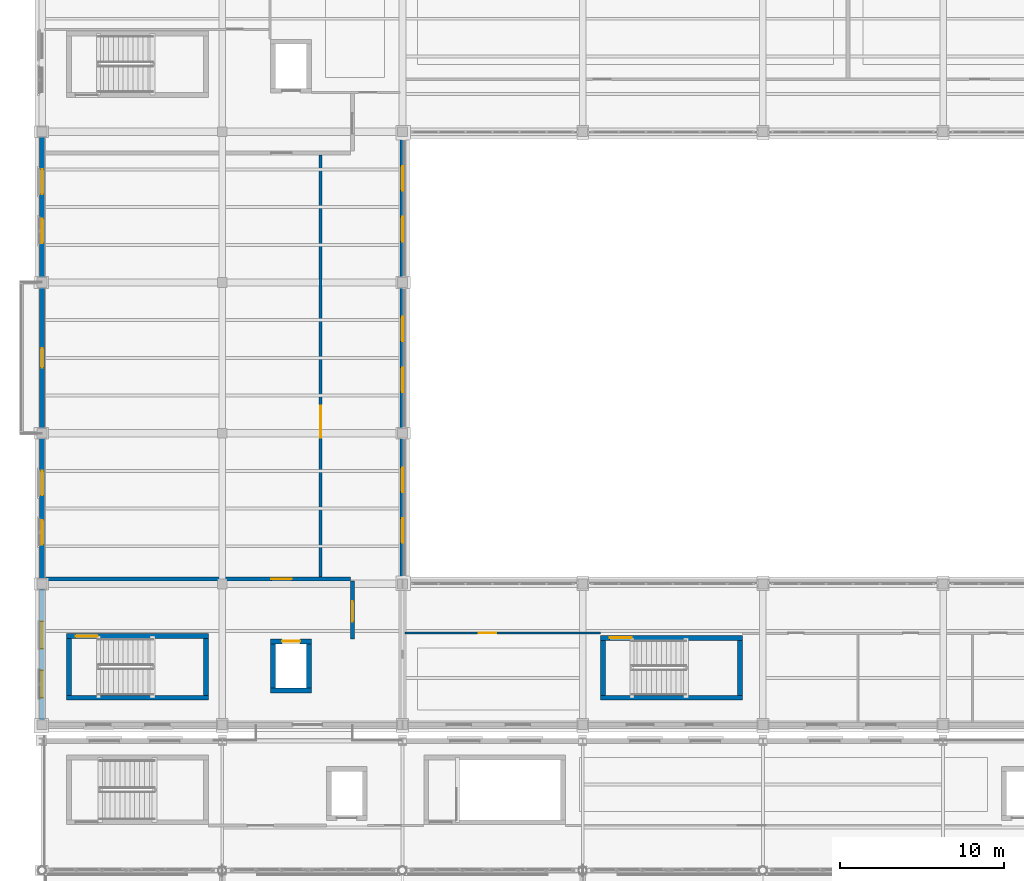
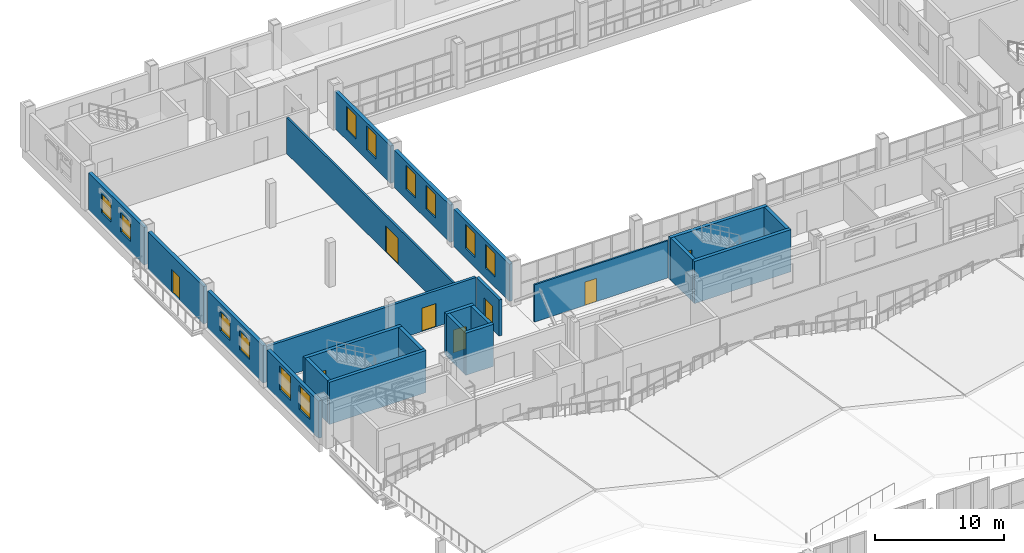
# One storey, part 97 of 120: 23 walls, 12 windows, 8 doors, 20 openings.
"""IFC4 building model written with IfcOpenShell, lengths in metres."""

from ifc_helpers import new_model, si_unit, direction, frame, frame_2d, origin, place, context, subcontext, project, spatial, rectangle, extrude, material, layer, layer_set, type_object, element, fill, save


model = new_model("IFC4")

# Units and contexts
model_context = context("Model", 3, precision=1e-05, world=origin(), true_north=direction((0.0, 1.0)))
body_context = subcontext(model_context, "Body", "Model", "MODEL_VIEW")
ifc_project = project(units=[si_unit("LENGTHUNIT", "METRE"), si_unit("AREAUNIT", "SQUARE_METRE"), si_unit("VOLUMEUNIT", "CUBIC_METRE"), si_unit("PLANEANGLEUNIT", "RADIAN"), si_unit("MASSUNIT", "GRAM", prefix="KILO")], contexts=[model_context])

# Site, building, storey
site_placement = place(None, origin())
site = spatial("IfcSite", under=ifc_project, at=site_placement, CompositionType="ELEMENT")
building_placement = place(site_placement, origin())
building = spatial("IfcBuilding", under=site, at=building_placement, Name="Caurita Quay Ferry Terminal", CompositionType="ELEMENT")
storey_placement = place(building_placement, frame((0.0, 0.0, 9.89990234375)))
storey = spatial("IfcBuildingStorey", under=building, at=storey_placement, Name="L02", CompositionType="ELEMENT", Elevation=9.89990234375)

# Wall, opening, door
ifc_material_1 = material(Name="Warm-white lime stucco masonry", Category="masonry")
ifc_layer_1 = layer(ifc_material_1, 0.239990234375, Name="Interior partitioning wall 240 mm")
ifc_layer_set_1 = layer_set([ifc_layer_1], Name="Warm-white lime stucco masonry")
wall_type_1 = type_object("IfcWallType", Name="WL-COMP-240", PredefinedType="PARTITIONING", material=ifc_layer_set_1)
wall_1_placement = place(storey_placement, frame((0.159912109375, 80.5, 0.0), z_axis=(0.0, 0.0, 1.0), x_axis=(1.0, 0.0, 0.0)))
wall_1 = element("IfcWall", 1, at=wall_1_placement, inside=storey, type_object=wall_type_1, Name="L02 Interior Partition IW-L02-082", PredefinedType="PARTITIONING", context=body_context, shape_type="SweptSolid", body=[
    extrude(rectangle(XDim=18.6650390625, YDim=0.239990234375, at=frame_2d((9.33251953125, 0.0))), origin(), (0.0, 0.0, 1.0), 3.425048828125),
])
opening_1_placement = place(wall_1_placement, frame((13.840087890625, 0.0, 0.0)))
opening_1 = element("IfcOpeningElement", 2, at=opening_1_placement, cuts=wall_1, Name="Opening FD-01", PredefinedType="OPENING", context=body_context, shape_type="SweptSolid", body=[
    extrude(rectangle(XDim=1.25, YDim=2.199951171875, at=frame_2d((0.625, 1.10009765625))), frame((0.0, 0.1298828125, 0.0), z_axis=(0.0, -1.0, 0.0), x_axis=(1.0, 0.0, 0.0)), (0.0, 0.0, 1.0), 0.260009765625),
])
ifc_material_2 = material(Name="Anodized aluminium 6063-T6", Category="aluminium")
door_type_1 = type_object("IfcDoorType", Name="DR-FF-1100", OperationType="NOTDEFINED", PredefinedType="DOOR", material=ifc_material_2)
door_1_placement = place(opening_1_placement, origin())
door_1 = element("IfcDoor", 3, at=door_1_placement, inside=storey, type_object=door_type_1, Name="Firefighting Lobby L02 South Door", OperationType="SINGLE_SWING_LEFT", OverallHeight=2.199951171875, OverallWidth=1.25, PredefinedType="DOOR", context=body_context, shape_type="SweptSolid", body=[
    extrude(rectangle(XDim=1.25, YDim=2.199951171875, at=frame_2d((0.625, 1.10009765625))), frame((0.0, 0.02490234375, 0.0), z_axis=(0.0, -1.0, 0.0), x_axis=(1.0, 0.0, 0.0)), (0.0, 0.0, 1.0), 0.050048828125),
])
fill(opening_1, door_1)

wall_2_placement = place(storey_placement, frame((18.949951171875, 76.85009765625, 0.0), z_axis=(0.0, 0.0, 1.0), x_axis=(0.0, 1.0, 0.0)))
wall_2 = element("IfcWall", 4, at=wall_2_placement, inside=storey, type_object=wall_type_1, Name="L02 Interior Partition IW-L02-085", PredefinedType="PARTITIONING", context=body_context, shape_type="SweptSolid", body=[
    extrude(rectangle(XDim=3.52490234375, YDim=0.239990234375, at=frame_2d((1.762451171875, 0.0))), origin(), (0.0, 0.0, 1.0), 3.425048828125),
])
opening_2_placement = place(wall_2_placement, frame((1.050048828125, 0.0, 0.0)))
opening_2 = element("IfcOpeningElement", 5, at=opening_2_placement, cuts=wall_2, Name="Opening FD-01", PredefinedType="OPENING", context=body_context, shape_type="SweptSolid", body=[
    extrude(rectangle(XDim=1.25, YDim=2.199951171875, at=frame_2d((0.625, 1.10009765625))), frame((0.0, 0.1298828125, 0.0), z_axis=(0.0, -1.0, 0.0), x_axis=(1.0, 0.0, 0.0)), (0.0, 0.0, 1.0), 0.260009765625),
])
door_2_placement = place(opening_2_placement, frame((1.25, 0.0, 0.0), z_axis=(0.0, 0.0, 1.0), x_axis=(-1.0, 0.0, 0.0)))
door_2 = element("IfcDoor", 6, at=door_2_placement, inside=storey, type_object=door_type_1, Name="Firefighting Lobby L02 South East Door", OperationType="SINGLE_SWING_RIGHT", OverallHeight=2.199951171875, OverallWidth=1.25, PredefinedType="DOOR", context=body_context, shape_type="SweptSolid", body=[
    extrude(rectangle(XDim=1.25, YDim=2.199951171875, at=frame_2d((0.625, 1.10009765625))), frame((0.0, 0.02490234375, 0.0), z_axis=(0.0, -1.0, 0.0), x_axis=(1.0, 0.0, 0.0)), (0.0, 0.0, 1.0), 0.050048828125),
])
fill(opening_2, door_2)

# Wall
ifc_material_3 = material(Name="Reinforced concrete C35/45", Category="concrete")
ifc_layer_2 = layer(ifc_material_3, 0.300048828125, Name="Interior shear wall 300 mm")
ifc_layer_set_2 = layer_set([ifc_layer_2], Name="Reinforced concrete C35/45")
wall_type_2 = type_object("IfcWallType", Name="WL-CORE-300", PredefinedType="SHEAR", material=ifc_layer_set_2)
wall_3_placement = place(storey_placement, frame((1.5, 73.25, 0.0), z_axis=(0.0, 0.0, 1.0), x_axis=(1.0, 0.0, 0.0)))
element("IfcWall", 7, at=wall_3_placement, inside=storey, type_object=wall_type_2, Name="L02 ST-02 Core Wall South", PredefinedType="SHEAR", context=body_context, shape_type="SweptSolid", body=[
    extrude(rectangle(XDim=8.64990234375, YDim=0.300048828125, at=frame_2d((4.324951171875, 0.0))), origin(), (0.0, 0.0, 1.0), 3.97998046875),
])

# Wall, opening, door
wall_4_placement = place(storey_placement, frame((10.14990234375, 77.010009765625, 0.0), z_axis=(0.0, 0.0, 1.0), x_axis=(-1.0, 0.0, 0.0)))
wall_4 = element("IfcWall", 8, at=wall_4_placement, inside=storey, type_object=wall_type_2, Name="L02 ST-02 Core Wall North", PredefinedType="SHEAR", context=body_context, shape_type="SweptSolid", body=[
    extrude(rectangle(XDim=8.64990234375, YDim=0.300048828125, at=frame_2d((4.324951171875, 0.0))), origin(), (0.0, 0.0, 1.0), 3.97998046875),
])
opening_3_placement = place(wall_4_placement, frame((6.75, 0.0, 0.0)))
opening_3 = element("IfcOpeningElement", 9, at=opening_3_placement, cuts=wall_4, Name="Opening SD-01", PredefinedType="OPENING", context=body_context, shape_type="SweptSolid", body=[
    extrude(rectangle(XDim=1.35009765625, YDim=2.199951171875, at=frame_2d((0.675048828125, 1.10009765625))), frame((0.0, 0.159912109375, 0.0), z_axis=(0.0, -1.0, 0.0), x_axis=(1.0, 0.0, 0.0)), (0.0, 0.0, 1.0), 0.320068359375),
])
door_type_2 = type_object("IfcDoorType", Name="DR-ST-1200", OperationType="NOTDEFINED", PredefinedType="DOOR", material=ifc_material_2)
door_3_placement = place(opening_3_placement, origin())
door_3 = element("IfcDoor", 10, at=door_3_placement, inside=storey, type_object=door_type_2, Name="L02 Exit Stair ST-02 Fire Door", OperationType="SINGLE_SWING_RIGHT", OverallHeight=2.199951171875, OverallWidth=1.35009765625, PredefinedType="DOOR", context=body_context, shape_type="SweptSolid", body=[
    extrude(rectangle(XDim=1.35009765625, YDim=2.199951171875, at=frame_2d((0.675048828125, 1.10009765625))), frame((0.0, 0.02490234375, 0.0), z_axis=(0.0, -1.0, 0.0), x_axis=(1.0, 0.0, 0.0)), (0.0, 0.0, 1.0), 0.050048828125),
])
fill(opening_3, door_3)

# Walls
for number, where, z_axis, x_axis, name in (
    (11, (1.64990234375, 76.860107421875, 0.0), (0.0, 0.0, 1.0), (0.0, -1.0, 0.0), "L02 ST-02 Core Wall West"),
    (12, (10.0, 73.39990234375, 0.0), (0.0, 0.0, 1.0), (0.0, 1.0, 0.0), "L02 ST-02 Core Wall East"),
):
    element("IfcWall", number, at=place(storey_placement, frame(where, z_axis=z_axis, x_axis=x_axis)), inside=storey, type_object=wall_type_2, Name=name, PredefinedType="SHEAR", context=body_context, shape_type="SweptSolid", body=[
        extrude(rectangle(XDim=3.460205078125, YDim=0.300048828125, at=frame_2d((1.72998046875, 0.0))), origin(), (0.0, 0.0, 1.0), 3.97998046875),
    ])
wall_5_placement = place(storey_placement, frame((34.10009765625, 73.25, 0.0), z_axis=(0.0, 0.0, 1.0), x_axis=(1.0, 0.0, 0.0)))
element("IfcWall", 13, at=wall_5_placement, inside=storey, type_object=wall_type_2, Name="L02 ST-03 Core Wall South", PredefinedType="SHEAR", context=body_context, shape_type="SweptSolid", body=[
    extrude(rectangle(XDim=8.64990234375, YDim=0.300048828125, at=frame_2d((4.324951171875, 0.0))), origin(), (0.0, 0.0, 1.0), 3.97998046875),
])

# Wall, opening, door
wall_6_placement = place(storey_placement, frame((42.75, 76.909912109375, 0.0), z_axis=(0.0, 0.0, 1.0), x_axis=(-1.0, 0.0, 0.0)))
wall_6 = element("IfcWall", 14, at=wall_6_placement, inside=storey, type_object=wall_type_2, Name="L02 ST-03 Core Wall North", PredefinedType="SHEAR", context=body_context, shape_type="SweptSolid", body=[
    extrude(rectangle(XDim=8.64990234375, YDim=0.300048828125, at=frame_2d((4.324951171875, 0.0))), origin(), (0.0, 0.0, 1.0), 3.97998046875),
])
opening_4_placement = place(wall_6_placement, frame((6.75, 0.0, 0.0)))
opening_4 = element("IfcOpeningElement", 15, at=opening_4_placement, cuts=wall_6, Name="Opening SD-01", PredefinedType="OPENING", context=body_context, shape_type="SweptSolid", body=[
    extrude(rectangle(XDim=1.35009765625, YDim=2.199951171875, at=frame_2d((0.675048828125, 1.10009765625))), frame((0.0, 0.159912109375, 0.0), z_axis=(0.0, -1.0, 0.0), x_axis=(1.0, 0.0, 0.0)), (0.0, 0.0, 1.0), 0.320068359375),
])
door_4_placement = place(opening_4_placement, origin())
door_4 = element("IfcDoor", 16, at=door_4_placement, inside=storey, type_object=door_type_2, Name="L02 Exit Stair ST-03 Fire Door", OperationType="SINGLE_SWING_LEFT", OverallHeight=2.199951171875, OverallWidth=1.35009765625, PredefinedType="DOOR", context=body_context, shape_type="SweptSolid", body=[
    extrude(rectangle(XDim=1.35009765625, YDim=2.199951171875, at=frame_2d((0.675048828125, 1.10009765625))), frame((0.0, 0.02490234375, 0.0), z_axis=(0.0, -1.0, 0.0), x_axis=(1.0, 0.0, 0.0)), (0.0, 0.0, 1.0), 0.050048828125),
])
fill(opening_4, door_4)

# Walls
for number, where, z_axis, x_axis, name in (
    (17, (34.25, 76.760009765625, 0.0), (0.0, 0.0, 1.0), (0.0, -1.0, 0.0), "L02 ST-03 Core Wall West"),
    (18, (42.60009765625, 73.39990234375, 0.0), (0.0, 0.0, 1.0), (0.0, 1.0, 0.0), "L02 ST-03 Core Wall East"),
):
    element("IfcWall", number, at=place(storey_placement, frame(where, z_axis=z_axis, x_axis=x_axis)), inside=storey, type_object=wall_type_2, Name=name, PredefinedType="SHEAR", context=body_context, shape_type="SweptSolid", body=[
        extrude(rectangle(XDim=3.360107421875, YDim=0.300048828125, at=frame_2d((1.68017578125, 0.0))), origin(), (0.0, 0.0, 1.0), 3.97998046875),
    ])
wall_7_placement = place(storey_placement, frame((13.955078125, 73.705078125, 0.0), z_axis=(0.0, 0.0, 1.0), x_axis=(1.0, 0.0, 0.0)))
element("IfcWall", 19, at=wall_7_placement, inside=storey, type_object=wall_type_2, Name="L02 Lift LF-02 Shaft Wall South", PredefinedType="SHEAR", context=body_context, shape_type="SweptSolid", body=[
    extrude(rectangle(XDim=2.489990234375, YDim=0.300048828125, at=frame_2d((1.2451171875, 0.0))), origin(), (0.0, 0.0, 1.0), 3.97998046875),
])

# Wall, opening, door
wall_8_placement = place(storey_placement, frame((16.445068359375, 76.695068359375, 0.0), z_axis=(0.0, 0.0, 1.0), x_axis=(-1.0, 0.0, 0.0)))
wall_8 = element("IfcWall", 20, at=wall_8_placement, inside=storey, type_object=wall_type_2, Name="L02 Lift LF-02 Shaft Wall North", PredefinedType="SHEAR", context=body_context, shape_type="SweptSolid", body=[
    extrude(rectangle(XDim=2.489990234375, YDim=0.300048828125, at=frame_2d((1.2451171875, 0.0))), origin(), (0.0, 0.0, 1.0), 3.97998046875),
])
opening_5_placement = place(wall_8_placement, frame((0.695068359375, 0.0, 0.0)))
opening_5 = element("IfcOpeningElement", 21, at=opening_5_placement, cuts=wall_8, Name="Opening LD-01", PredefinedType="OPENING", context=body_context, shape_type="SweptSolid", body=[
    extrude(rectangle(XDim=1.10009765625, YDim=2.14990234375, at=frame_2d((0.550048828125, 1.074951171875))), frame((0.0, 0.159912109375, 0.0), z_axis=(0.0, -1.0, 0.0), x_axis=(1.0, 0.0, 0.0)), (0.0, 0.0, 1.0), 0.320068359375),
])
ifc_material_4 = material(Name="Bronze architectural metalwork", Category="metal")
door_type_3 = type_object("IfcDoorType", Name="DR-LD-01", OperationType="DOUBLE_DOOR_SLIDING", PredefinedType="DOOR", material=ifc_material_4)
door_5_placement = place(opening_5_placement, frame((1.10009765625, 0.0, 0.0), z_axis=(0.0, 0.0, 1.0), x_axis=(-1.0, 0.0, 0.0)))
door_5 = element("IfcDoor", 22, at=door_5_placement, inside=storey, type_object=door_type_3, Name="L02 Lift LF-02 Sliding Landing Door", OperationType="DOUBLE_DOOR_SLIDING", OverallHeight=2.14990234375, OverallWidth=1.10009765625, PredefinedType="DOOR", context=body_context, shape_type="SweptSolid", body=[
    extrude(rectangle(XDim=1.10009765625, YDim=2.14990234375, at=frame_2d((0.550048828125, 1.074951171875))), frame((0.0, 0.02490234375, 0.0), z_axis=(0.0, -1.0, 0.0), x_axis=(1.0, 0.0, 0.0)), (0.0, 0.0, 1.0), 0.050048828125),
])
fill(opening_5, door_5)

# Walls
for number, where, z_axis, x_axis, name in (
    (23, (14.10498046875, 76.544921875, 0.0), (0.0, 0.0, 1.0), (0.0, -1.0, 0.0), "L02 Lift LF-02 Shaft Wall West"),
    (24, (16.294921875, 73.85498046875, 0.0), (0.0, 0.0, 1.0), (0.0, 1.0, 0.0), "L02 Lift LF-02 Shaft Wall East"),
):
    element("IfcWall", number, at=place(storey_placement, frame(where, z_axis=z_axis, x_axis=x_axis)), inside=storey, type_object=wall_type_2, Name=name, PredefinedType="SHEAR", context=body_context, shape_type="SweptSolid", body=[
        extrude(rectangle(XDim=2.68994140625, YDim=0.300048828125, at=frame_2d((1.344970703125, 0.0))), origin(), (0.0, 0.0, 1.0), 3.97998046875),
    ])

# Wall, openings, windows
ifc_layer_3 = layer(ifc_material_1, 0.31005859375, Name="Exterior solidwall wall 310 mm")
ifc_layer_set_3 = layer_set([ifc_layer_3], Name="Warm-white lime stucco masonry")
wall_type_3 = type_object("IfcWallType", Name="WL-EXT-310", PredefinedType="SOLIDWALL", material=ifc_layer_set_3)
wall_9_placement = place(storey_placement, frame((0.0, 79.902099609375, 0.0), z_axis=(0.0, 0.0, 1.0), x_axis=(0.0, -1.0, 0.0)))
wall_9 = element("IfcWall", 25, at=wall_9_placement, inside=storey, type_object=wall_type_3, Name="L02 Exterior Wall EW-L02-042", PredefinedType="SOLIDWALL", context=body_context, shape_type="SweptSolid", body=[
    extrude(rectangle(XDim=8.004150390625, YDim=0.31005859375, at=frame_2d((4.001953125, 0.0))), origin(), (0.0, 0.0, 1.0), 3.525146484375),
])
opening_6_placement = place(wall_9_placement, frame((2.001953125, 0.0, 0.949951171875)))
opening_6 = element("IfcOpeningElement", 26, at=opening_6_placement, cuts=wall_9, Name="Opening W-08", PredefinedType="OPENING", context=body_context, shape_type="SweptSolid", body=[
    extrude(rectangle(XDim=1.64990234375, YDim=2.25, at=frame_2d((0.824951171875, 1.125))), frame((0.0, 0.1650390625, 0.0), z_axis=(0.0, -1.0, 0.0), x_axis=(1.0, 0.0, 0.0)), (0.0, 0.0, 1.0), 0.330078125),
])
opening_7_placement = place(wall_9_placement, frame((5.001953125, 0.0, 0.949951171875)))
opening_7 = element("IfcOpeningElement", 27, at=opening_7_placement, cuts=wall_9, Name="Opening W-08", PredefinedType="OPENING", context=body_context, shape_type="SweptSolid", body=[
    extrude(rectangle(XDim=1.64990234375, YDim=2.25, at=frame_2d((0.824951171875, 1.125))), frame((0.0, 0.1650390625, 0.0), z_axis=(0.0, -1.0, 0.0), x_axis=(1.0, 0.0, 0.0)), (0.0, 0.0, 1.0), 0.330078125),
])
ifc_material_5 = material(Name="Laminated solar-control insulated glass", Category="glass")
window_type_1 = type_object("IfcWindowType", Name="WIN-SC-16522", PartitioningType="SINGLE_PANEL", PredefinedType="WINDOW", material=ifc_material_5)
window_1_placement = place(opening_6_placement, origin())
window_1 = element("IfcWindow", 28, at=window_1_placement, inside=storey, type_object=window_type_1, Name="L02 Casement Window WN-L02-061", OverallHeight=2.25, OverallWidth=1.64990234375, PartitioningType="SINGLE_PANEL", PredefinedType="WINDOW", context=body_context, shape_type="SweptSolid", body=[
    extrude(rectangle(XDim=1.64990234375, YDim=2.25, at=frame_2d((0.824951171875, 1.125))), frame((0.0, 0.030029296875, 0.0), z_axis=(0.0, -1.0, 0.0), x_axis=(1.0, 0.0, 0.0)), (0.0, 0.0, 1.0), 0.06005859375),
])
fill(opening_6, window_1)
window_2_placement = place(opening_7_placement, origin())
window_2 = element("IfcWindow", 29, at=window_2_placement, inside=storey, type_object=window_type_1, Name="L02 Casement Window WN-L02-062", OverallHeight=2.25, OverallWidth=1.64990234375, PartitioningType="SINGLE_PANEL", PredefinedType="WINDOW", context=body_context, shape_type="SweptSolid", body=[
    extrude(rectangle(XDim=1.64990234375, YDim=2.25, at=frame_2d((0.824951171875, 1.125))), frame((0.0, 0.030029296875, 0.0), z_axis=(0.0, -1.0, 0.0), x_axis=(1.0, 0.0, 0.0)), (0.0, 0.0, 1.0), 0.06005859375),
])
fill(opening_7, window_2)

wall_10_placement = place(storey_placement, frame((0.0, 89.10205078125, 0.0), z_axis=(0.0, 0.0, 1.0), x_axis=(0.0, -1.0, 0.0)))
wall_10 = element("IfcWall", 30, at=wall_10_placement, inside=storey, type_object=wall_type_3, Name="L02 Exterior Wall EW-L02-043", PredefinedType="SOLIDWALL", context=body_context, shape_type="SweptSolid", body=[
    extrude(rectangle(XDim=8.60400390625, YDim=0.31005859375, at=frame_2d((4.302001953125, 0.0))), origin(), (0.0, 0.0, 1.0), 3.525146484375),
])
opening_8_placement = place(wall_10_placement, frame((2.001953125, 0.0, 0.949951171875)))
opening_8 = element("IfcOpeningElement", 31, at=opening_8_placement, cuts=wall_10, Name="Opening W-06", PredefinedType="OPENING", context=body_context, shape_type="SweptSolid", body=[
    extrude(rectangle(XDim=1.5, YDim=1.800048828125, at=frame_2d((0.75, 0.89990234375))), frame((0.0, 0.1650390625, 0.0), z_axis=(0.0, -1.0, 0.0), x_axis=(1.0, 0.0, 0.0)), (0.0, 0.0, 1.0), 0.330078125),
])
opening_9_placement = place(wall_10_placement, frame((5.001953125, 0.0, 0.949951171875)))
opening_9 = element("IfcOpeningElement", 32, at=opening_9_placement, cuts=wall_10, Name="Opening W-06", PredefinedType="OPENING", context=body_context, shape_type="SweptSolid", body=[
    extrude(rectangle(XDim=1.5, YDim=1.800048828125, at=frame_2d((0.75, 0.89990234375))), frame((0.0, 0.1650390625, 0.0), z_axis=(0.0, -1.0, 0.0), x_axis=(1.0, 0.0, 0.0)), (0.0, 0.0, 1.0), 0.330078125),
])
window_type_2 = type_object("IfcWindowType", Name="WIN-SC-1518", PartitioningType="SINGLE_PANEL", PredefinedType="WINDOW", material=ifc_material_5)
window_3_placement = place(opening_8_placement, origin())
window_3 = element("IfcWindow", 33, at=window_3_placement, inside=storey, type_object=window_type_2, Name="L02 Casement Window WN-L02-063", OverallHeight=1.800048828125, OverallWidth=1.5, PartitioningType="SINGLE_PANEL", PredefinedType="WINDOW", context=body_context, shape_type="SweptSolid", body=[
    extrude(rectangle(XDim=1.5, YDim=1.800048828125, at=frame_2d((0.75, 0.89990234375))), frame((0.0, 0.030029296875, 0.0), z_axis=(0.0, -1.0, 0.0), x_axis=(1.0, 0.0, 0.0)), (0.0, 0.0, 1.0), 0.06005859375),
])
fill(opening_8, window_3)
window_4_placement = place(opening_9_placement, origin())
window_4 = element("IfcWindow", 34, at=window_4_placement, inside=storey, type_object=window_type_2, Name="L02 Casement Window WN-L02-064", OverallHeight=1.800048828125, OverallWidth=1.5, PartitioningType="SINGLE_PANEL", PredefinedType="WINDOW", context=body_context, shape_type="SweptSolid", body=[
    extrude(rectangle(XDim=1.5, YDim=1.800048828125, at=frame_2d((0.75, 0.89990234375))), frame((0.0, 0.030029296875, 0.0), z_axis=(0.0, -1.0, 0.0), x_axis=(1.0, 0.0, 0.0)), (0.0, 0.0, 1.0), 0.06005859375),
])
fill(opening_9, window_4)

# Wall, opening, door
wall_11_placement = place(storey_placement, frame((0.0, 98.302001953125, 0.0), z_axis=(0.0, 0.0, 1.0), x_axis=(0.0, -1.0, 0.0)))
wall_11 = element("IfcWall", 35, at=wall_11_placement, inside=storey, type_object=wall_type_3, Name="L02 Exterior Wall EW-L02-044", PredefinedType="SOLIDWALL", context=body_context, shape_type="SweptSolid", body=[
    extrude(rectangle(XDim=8.60400390625, YDim=0.31005859375, at=frame_2d((4.302001953125, 0.0))), origin(), (0.0, 0.0, 1.0), 3.525146484375),
])
opening_10_placement = place(wall_11_placement, frame((3.701904296875, 0.0, 0.0)))
opening_10 = element("IfcOpeningElement", 36, at=opening_10_placement, cuts=wall_11, Name="Opening TD-01", PredefinedType="OPENING", context=body_context, shape_type="SweptSolid", body=[
    extrude(rectangle(XDim=1.199951171875, YDim=2.199951171875, at=frame_2d((0.60009765625, 1.10009765625))), frame((0.0, 0.1650390625, 0.0), z_axis=(0.0, -1.0, 0.0), x_axis=(1.0, 0.0, 0.0)), (0.0, 0.0, 1.0), 0.330078125),
])
door_type_4 = type_object("IfcDoorType", Name="DR-TER-1222", OperationType="NOTDEFINED", PredefinedType="DOOR", material=ifc_material_2)
door_6_placement = place(opening_10_placement, frame((1.199951171875, 0.0, 0.0), z_axis=(0.0, 0.0, 1.0), x_axis=(-1.0, 0.0, 0.0)))
door_6 = element("IfcDoor", 37, at=door_6_placement, inside=storey, type_object=door_type_4, Name="L02 Heritage Waterfront Balcony Door TD-BW2", OperationType="SINGLE_SWING_RIGHT", OverallHeight=2.199951171875, OverallWidth=1.199951171875, PredefinedType="DOOR", context=body_context, shape_type="SweptSolid", body=[
    extrude(rectangle(XDim=1.199951171875, YDim=2.199951171875, at=frame_2d((0.60009765625, 1.10009765625))), frame((0.0, 0.02490234375, 0.0), z_axis=(0.0, -1.0, 0.0), x_axis=(1.0, 0.0, 0.0)), (0.0, 0.0, 1.0), 0.050048828125),
])
fill(opening_10, door_6)

# Wall, openings, windows
wall_12_placement = place(storey_placement, frame((0.0, 107.501953125, 0.0), z_axis=(0.0, 0.0, 1.0), x_axis=(0.0, -1.0, 0.0)))
wall_12 = element("IfcWall", 38, at=wall_12_placement, inside=storey, type_object=wall_type_3, Name="L02 Exterior Wall EW-L02-045", PredefinedType="SOLIDWALL", context=body_context, shape_type="SweptSolid", body=[
    extrude(rectangle(XDim=8.60400390625, YDim=0.31005859375, at=frame_2d((4.302001953125, 0.0))), origin(), (0.0, 0.0, 1.0), 3.525146484375),
])
opening_11_placement = place(wall_12_placement, frame((2.001953125, 0.0, 0.949951171875)))
opening_11 = element("IfcOpeningElement", 39, at=opening_11_placement, cuts=wall_12, Name="Opening W-06", PredefinedType="OPENING", context=body_context, shape_type="SweptSolid", body=[
    extrude(rectangle(XDim=1.5, YDim=1.800048828125, at=frame_2d((0.75, 0.89990234375))), frame((0.0, 0.1650390625, 0.0), z_axis=(0.0, -1.0, 0.0), x_axis=(1.0, 0.0, 0.0)), (0.0, 0.0, 1.0), 0.330078125),
])
opening_12_placement = place(wall_12_placement, frame((5.001953125, 0.0, 0.949951171875)))
opening_12 = element("IfcOpeningElement", 40, at=opening_12_placement, cuts=wall_12, Name="Opening W-06", PredefinedType="OPENING", context=body_context, shape_type="SweptSolid", body=[
    extrude(rectangle(XDim=1.5, YDim=1.800048828125, at=frame_2d((0.75, 0.89990234375))), frame((0.0, 0.1650390625, 0.0), z_axis=(0.0, -1.0, 0.0), x_axis=(1.0, 0.0, 0.0)), (0.0, 0.0, 1.0), 0.330078125),
])
window_5_placement = place(opening_11_placement, origin())
window_5 = element("IfcWindow", 41, at=window_5_placement, inside=storey, type_object=window_type_2, Name="L02 Casement Window WN-L02-065", OverallHeight=1.800048828125, OverallWidth=1.5, PartitioningType="SINGLE_PANEL", PredefinedType="WINDOW", context=body_context, shape_type="SweptSolid", body=[
    extrude(rectangle(XDim=1.5, YDim=1.800048828125, at=frame_2d((0.75, 0.89990234375))), frame((0.0, 0.030029296875, 0.0), z_axis=(0.0, -1.0, 0.0), x_axis=(1.0, 0.0, 0.0)), (0.0, 0.0, 1.0), 0.06005859375),
])
fill(opening_11, window_5)
window_6_placement = place(opening_12_placement, origin())
window_6 = element("IfcWindow", 42, at=window_6_placement, inside=storey, type_object=window_type_2, Name="L02 Casement Window WN-L02-066", OverallHeight=1.800048828125, OverallWidth=1.5, PartitioningType="SINGLE_PANEL", PredefinedType="WINDOW", context=body_context, shape_type="SweptSolid", body=[
    extrude(rectangle(XDim=1.5, YDim=1.800048828125, at=frame_2d((0.75, 0.89990234375))), frame((0.0, 0.030029296875, 0.0), z_axis=(0.0, -1.0, 0.0), x_axis=(1.0, 0.0, 0.0)), (0.0, 0.0, 1.0), 0.06005859375),
])
fill(opening_12, window_6)

wall_13_placement = place(storey_placement, frame((22.0, 80.498046875, 0.0), z_axis=(0.0, 0.0, 1.0), x_axis=(0.0, 1.0, 0.0)))
wall_13 = element("IfcWall", 43, at=wall_13_placement, inside=storey, type_object=wall_type_3, Name="L02 Exterior Wall EW-L02-134", PredefinedType="SOLIDWALL", context=body_context, shape_type="SweptSolid", body=[
    extrude(rectangle(XDim=8.60400390625, YDim=0.31005859375, at=frame_2d((4.302001953125, 0.0))), origin(), (0.0, 0.0, 1.0), 3.525146484375),
])
opening_13_placement = place(wall_13_placement, frame((2.201904296875, 0.0, 0.949951171875)))
opening_13 = element("IfcOpeningElement", 44, at=opening_13_placement, cuts=wall_13, Name="Opening W-07", PredefinedType="OPENING", context=body_context, shape_type="SweptSolid", body=[
    extrude(rectangle(XDim=1.5, YDim=2.25, at=frame_2d((0.75, 1.125))), frame((0.0, 0.1650390625, 0.0), z_axis=(0.0, -1.0, 0.0), x_axis=(1.0, 0.0, 0.0)), (0.0, 0.0, 1.0), 0.330078125),
])
opening_14_placement = place(wall_13_placement, frame((5.302001953125, 0.0, 0.949951171875)))
opening_14 = element("IfcOpeningElement", 45, at=opening_14_placement, cuts=wall_13, Name="Opening W-07", PredefinedType="OPENING", context=body_context, shape_type="SweptSolid", body=[
    extrude(rectangle(XDim=1.5, YDim=2.25, at=frame_2d((0.75, 1.125))), frame((0.0, 0.1650390625, 0.0), z_axis=(0.0, -1.0, 0.0), x_axis=(1.0, 0.0, 0.0)), (0.0, 0.0, 1.0), 0.330078125),
])
window_type_3 = type_object("IfcWindowType", Name="WIN-SC-1522", PartitioningType="SINGLE_PANEL", PredefinedType="WINDOW", material=ifc_material_5)
window_7_placement = place(opening_13_placement, origin())
window_7 = element("IfcWindow", 46, at=window_7_placement, inside=storey, type_object=window_type_3, Name="L02 Casement Window WN-L02-207", OverallHeight=2.25, OverallWidth=1.5, PartitioningType="SINGLE_PANEL", PredefinedType="WINDOW", context=body_context, shape_type="SweptSolid", body=[
    extrude(rectangle(XDim=1.5, YDim=2.25, at=frame_2d((0.75, 1.125))), frame((0.0, 0.030029296875, 0.0), z_axis=(0.0, -1.0, 0.0), x_axis=(1.0, 0.0, 0.0)), (0.0, 0.0, 1.0), 0.06005859375),
])
fill(opening_13, window_7)
window_8_placement = place(opening_14_placement, origin())
window_8 = element("IfcWindow", 47, at=window_8_placement, inside=storey, type_object=window_type_3, Name="L02 Casement Window WN-L02-208", OverallHeight=2.25, OverallWidth=1.5, PartitioningType="SINGLE_PANEL", PredefinedType="WINDOW", context=body_context, shape_type="SweptSolid", body=[
    extrude(rectangle(XDim=1.5, YDim=2.25, at=frame_2d((0.75, 1.125))), frame((0.0, 0.030029296875, 0.0), z_axis=(0.0, -1.0, 0.0), x_axis=(1.0, 0.0, 0.0)), (0.0, 0.0, 1.0), 0.06005859375),
])
fill(opening_14, window_8)

wall_14_placement = place(storey_placement, frame((22.0, 89.697998046875, 0.0), z_axis=(0.0, 0.0, 1.0), x_axis=(0.0, 1.0, 0.0)))
wall_14 = element("IfcWall", 48, at=wall_14_placement, inside=storey, type_object=wall_type_3, Name="L02 Exterior Wall EW-L02-135", PredefinedType="SOLIDWALL", context=body_context, shape_type="SweptSolid", body=[
    extrude(rectangle(XDim=8.60400390625, YDim=0.31005859375, at=frame_2d((4.302001953125, 0.0))), origin(), (0.0, 0.0, 1.0), 3.525146484375),
])
opening_15_placement = place(wall_14_placement, frame((2.201904296875, 0.0, 0.949951171875)))
opening_15 = element("IfcOpeningElement", 49, at=opening_15_placement, cuts=wall_14, Name="Opening W-07", PredefinedType="OPENING", context=body_context, shape_type="SweptSolid", body=[
    extrude(rectangle(XDim=1.5, YDim=2.25, at=frame_2d((0.75, 1.125))), frame((0.0, 0.1650390625, 0.0), z_axis=(0.0, -1.0, 0.0), x_axis=(1.0, 0.0, 0.0)), (0.0, 0.0, 1.0), 0.330078125),
])
opening_16_placement = place(wall_14_placement, frame((5.302001953125, 0.0, 0.949951171875)))
opening_16 = element("IfcOpeningElement", 50, at=opening_16_placement, cuts=wall_14, Name="Opening W-07", PredefinedType="OPENING", context=body_context, shape_type="SweptSolid", body=[
    extrude(rectangle(XDim=1.5, YDim=2.25, at=frame_2d((0.75, 1.125))), frame((0.0, 0.1650390625, 0.0), z_axis=(0.0, -1.0, 0.0), x_axis=(1.0, 0.0, 0.0)), (0.0, 0.0, 1.0), 0.330078125),
])
window_9_placement = place(opening_15_placement, origin())
window_9 = element("IfcWindow", 51, at=window_9_placement, inside=storey, type_object=window_type_3, Name="L02 Casement Window WN-L02-209", OverallHeight=2.25, OverallWidth=1.5, PartitioningType="SINGLE_PANEL", PredefinedType="WINDOW", context=body_context, shape_type="SweptSolid", body=[
    extrude(rectangle(XDim=1.5, YDim=2.25, at=frame_2d((0.75, 1.125))), frame((0.0, 0.030029296875, 0.0), z_axis=(0.0, -1.0, 0.0), x_axis=(1.0, 0.0, 0.0)), (0.0, 0.0, 1.0), 0.06005859375),
])
fill(opening_15, window_9)
window_10_placement = place(opening_16_placement, origin())
window_10 = element("IfcWindow", 52, at=window_10_placement, inside=storey, type_object=window_type_3, Name="L02 Casement Window WN-L02-210", OverallHeight=2.25, OverallWidth=1.5, PartitioningType="SINGLE_PANEL", PredefinedType="WINDOW", context=body_context, shape_type="SweptSolid", body=[
    extrude(rectangle(XDim=1.5, YDim=2.25, at=frame_2d((0.75, 1.125))), frame((0.0, 0.030029296875, 0.0), z_axis=(0.0, -1.0, 0.0), x_axis=(1.0, 0.0, 0.0)), (0.0, 0.0, 1.0), 0.06005859375),
])
fill(opening_16, window_10)

wall_15_placement = place(storey_placement, frame((22.0, 98.89794921875, 0.0), z_axis=(0.0, 0.0, 1.0), x_axis=(0.0, 1.0, 0.0)))
wall_15 = element("IfcWall", 53, at=wall_15_placement, inside=storey, type_object=wall_type_3, Name="L02 Exterior Wall EW-L02-136", PredefinedType="SOLIDWALL", context=body_context, shape_type="SweptSolid", body=[
    extrude(rectangle(XDim=8.60400390625, YDim=0.31005859375, at=frame_2d((4.302001953125, 0.0))), origin(), (0.0, 0.0, 1.0), 3.525146484375),
])
opening_17_placement = place(wall_15_placement, frame((2.201904296875, 0.0, 0.949951171875)))
opening_17 = element("IfcOpeningElement", 54, at=opening_17_placement, cuts=wall_15, Name="Opening W-07", PredefinedType="OPENING", context=body_context, shape_type="SweptSolid", body=[
    extrude(rectangle(XDim=1.5, YDim=2.25, at=frame_2d((0.75, 1.125))), frame((0.0, 0.1650390625, 0.0), z_axis=(0.0, -1.0, 0.0), x_axis=(1.0, 0.0, 0.0)), (0.0, 0.0, 1.0), 0.330078125),
])
opening_18_placement = place(wall_15_placement, frame((5.302001953125, 0.0, 0.949951171875)))
opening_18 = element("IfcOpeningElement", 55, at=opening_18_placement, cuts=wall_15, Name="Opening W-07", PredefinedType="OPENING", context=body_context, shape_type="SweptSolid", body=[
    extrude(rectangle(XDim=1.5, YDim=2.25, at=frame_2d((0.75, 1.125))), frame((0.0, 0.1650390625, 0.0), z_axis=(0.0, -1.0, 0.0), x_axis=(1.0, 0.0, 0.0)), (0.0, 0.0, 1.0), 0.330078125),
])
window_11_placement = place(opening_17_placement, origin())
window_11 = element("IfcWindow", 56, at=window_11_placement, inside=storey, type_object=window_type_3, Name="L02 Casement Window WN-L02-211", OverallHeight=2.25, OverallWidth=1.5, PartitioningType="SINGLE_PANEL", PredefinedType="WINDOW", context=body_context, shape_type="SweptSolid", body=[
    extrude(rectangle(XDim=1.5, YDim=2.25, at=frame_2d((0.75, 1.125))), frame((0.0, 0.030029296875, 0.0), z_axis=(0.0, -1.0, 0.0), x_axis=(1.0, 0.0, 0.0)), (0.0, 0.0, 1.0), 0.06005859375),
])
fill(opening_17, window_11)
window_12_placement = place(opening_18_placement, origin())
window_12 = element("IfcWindow", 57, at=window_12_placement, inside=storey, type_object=window_type_3, Name="L02 Casement Window WN-L02-212", OverallHeight=2.25, OverallWidth=1.5, PartitioningType="SINGLE_PANEL", PredefinedType="WINDOW", context=body_context, shape_type="SweptSolid", body=[
    extrude(rectangle(XDim=1.5, YDim=2.25, at=frame_2d((0.75, 1.125))), frame((0.0, 0.030029296875, 0.0), z_axis=(0.0, -1.0, 0.0), x_axis=(1.0, 0.0, 0.0)), (0.0, 0.0, 1.0), 0.06005859375),
])
fill(opening_18, window_12)

# Wall, opening, door
ifc_material_6 = material(Name="Gypsum board partition", Category="masonry")
ifc_layer_4 = layer(ifc_material_6, 0.14501953125, Name="Interior partitioning wall 145 mm")
ifc_layer_set_4 = layer_set([ifc_layer_4], Name="Gypsum board partition")
wall_type_4 = type_object("IfcWallType", Name="WL-PART-145", PredefinedType="PARTITIONING", material=ifc_layer_set_4)
wall_16_placement = place(storey_placement, frame((22.159912109375, 77.199951171875, 0.0), z_axis=(0.0, 0.0, 1.0), x_axis=(1.0, 0.0, 0.0)))
wall_16 = element("IfcWall", 58, at=wall_16_placement, inside=storey, type_object=wall_type_4, Name="L02 Interior Partition IW-L02-093", PredefinedType="PARTITIONING", context=body_context, shape_type="SweptSolid", body=[
    extrude(rectangle(XDim=11.93017578125, YDim=0.14501953125, at=frame_2d((5.965087890625, 0.0))), origin(), (0.0, 0.0, 1.0), 3.525146484375),
])
opening_19_placement = place(wall_16_placement, frame((4.5, 0.0, 0.0)))
opening_19 = element("IfcOpeningElement", 59, at=opening_19_placement, cuts=wall_16, Name="Opening ID-04", PredefinedType="OPENING", context=body_context, shape_type="SweptSolid", body=[
    extrude(rectangle(XDim=1.050048828125, YDim=2.199951171875, at=frame_2d((0.52490234375, 1.10009765625))), frame((0.0, 0.08251953125, 0.0), z_axis=(0.0, -1.0, 0.0), x_axis=(1.0, 0.0, 0.0)), (0.0, 0.0, 1.0), 0.1650390625),
])
ifc_material_7 = material(Name="Tropical mahogany hardwood", Category="wood")
door_type_5 = type_object("IfcDoorType", Name="DR-OFF-1050", OperationType="NOTDEFINED", PredefinedType="DOOR", material=ifc_material_7)
door_7_placement = place(opening_19_placement, origin())
door_7 = element("IfcDoor", 60, at=door_7_placement, inside=storey, type_object=door_type_5, Name="Port Boardroom Door", OperationType="SINGLE_SWING_LEFT", OverallHeight=2.199951171875, OverallWidth=1.050048828125, PredefinedType="DOOR", context=body_context, shape_type="SweptSolid", body=[
    extrude(rectangle(XDim=1.050048828125, YDim=2.199951171875, at=frame_2d((0.52490234375, 1.10009765625))), frame((0.0, 0.02490234375, 0.0), z_axis=(0.0, -1.0, 0.0), x_axis=(1.0, 0.0, 0.0)), (0.0, 0.0, 1.0), 0.050048828125),
])
fill(opening_19, door_7)

ifc_layer_5 = layer(ifc_material_6, 0.175048828125, Name="Interior partitioning wall 175 mm")
ifc_layer_set_5 = layer_set([ifc_layer_5], Name="Gypsum board partition")
wall_type_5 = type_object("IfcWallType", Name="WL-PART-175", PredefinedType="PARTITIONING", material=ifc_layer_set_5)
wall_17_placement = place(storey_placement, frame((17.0, 80.625, 0.0), z_axis=(0.0, 0.0, 1.0), x_axis=(0.0, 1.0, 0.0)))
wall_17 = element("IfcWall", 61, at=wall_17_placement, inside=storey, type_object=wall_type_5, Name="L02 Interior Partition IW-L02-083", PredefinedType="PARTITIONING", context=body_context, shape_type="SweptSolid", body=[
    extrude(rectangle(XDim=25.75, YDim=0.175048828125, at=frame_2d((12.875, 0.0))), origin(), (0.0, 0.0, 1.0), 3.425048828125),
])
opening_20_placement = place(wall_17_placement, frame((8.5048828125, 0.0, 0.0)))
opening_20 = element("IfcOpeningElement", 62, at=opening_20_placement, cuts=wall_17, Name="Opening ID-02", PredefinedType="OPENING", context=body_context, shape_type="SweptSolid", body=[
    extrude(rectangle(XDim=1.949951171875, YDim=2.449951171875, at=frame_2d((0.97509765625, 1.22509765625))), frame((0.0, 0.097412109375, 0.0), z_axis=(0.0, -1.0, 0.0), x_axis=(1.0, 0.0, 0.0)), (0.0, 0.0, 1.0), 0.195068359375),
])
door_type_6 = type_object("IfcDoorType", Name="DR-HALL-1950", OperationType="NOTDEFINED", PredefinedType="DOOR", material=ifc_material_2)
door_8_placement = place(opening_20_placement, frame((1.949951171875, 0.0, 0.0), z_axis=(0.0, 0.0, 1.0), x_axis=(-1.0, 0.0, 0.0)))
door_8 = element("IfcDoor", 63, at=door_8_placement, inside=storey, type_object=door_type_6, Name="Maritime Heritage Gallery Portal", OperationType="SINGLE_SWING_RIGHT", OverallHeight=2.449951171875, OverallWidth=1.949951171875, PredefinedType="DOOR", context=body_context, shape_type="SweptSolid", body=[
    extrude(rectangle(XDim=1.949951171875, YDim=2.449951171875, at=frame_2d((0.97509765625, 1.22509765625))), frame((0.0, 0.02490234375, 0.0), z_axis=(0.0, -1.0, 0.0), x_axis=(1.0, 0.0, 0.0)), (0.0, 0.0, 1.0), 0.050048828125),
])
fill(opening_20, door_8)

save(model, "model.ifc")
